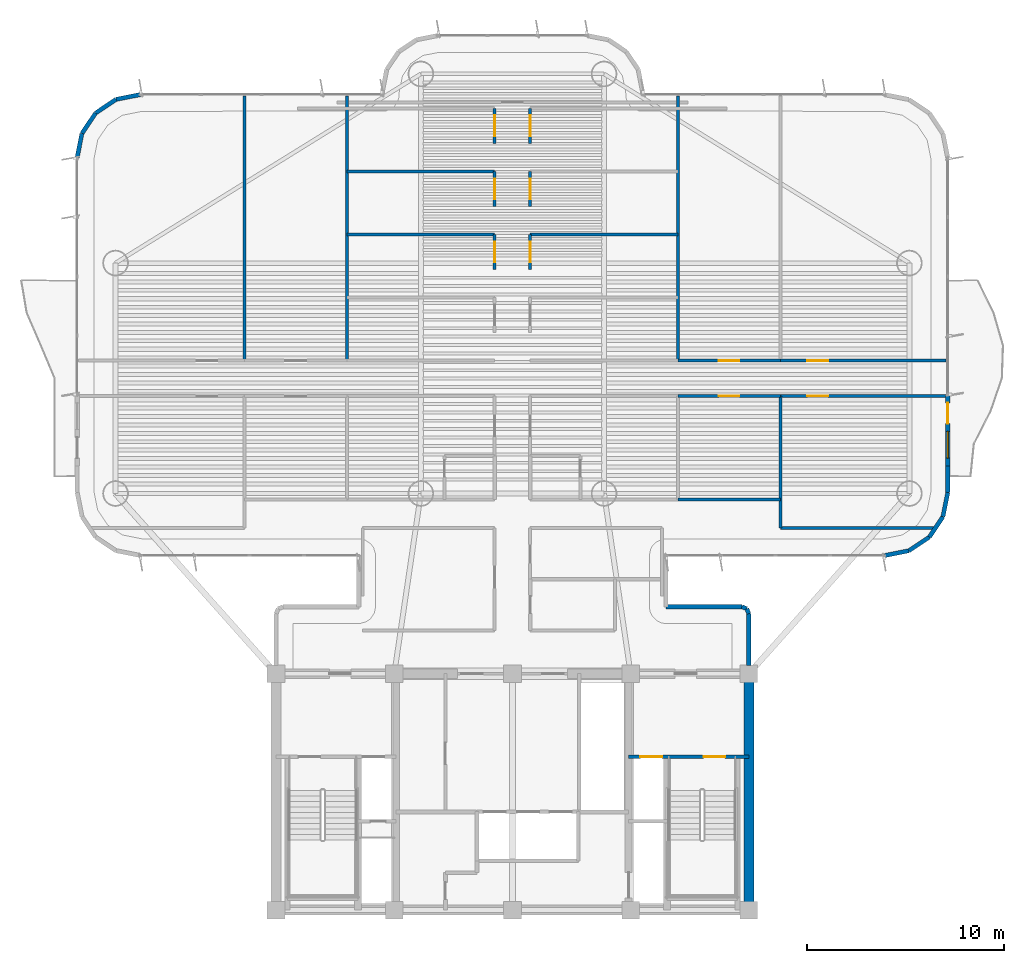
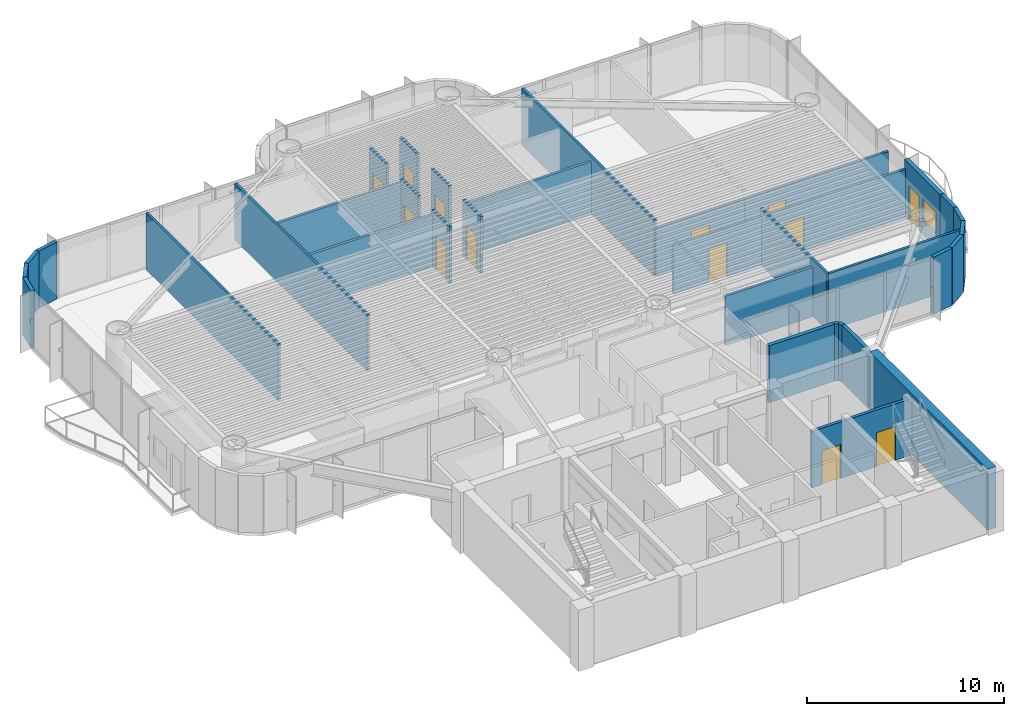
# One storey, part 11 of 16: 35 walls, 13 doors, 1 window, 14 openings.
"""IFC4 building model written with IfcOpenShell, lengths in metres."""

from ifc_helpers import new_model, si_unit, direction, frame, frame_2d, origin, origin_2d, place, context, subcontext, project, spatial, rectangle, extrude, source, transform, mapped, material, layer, layer_set, type_object, element, fill, save


model = new_model("IFC4")

# Units and contexts
model_context = context("Model", 3, precision=1e-05, world=origin(), true_north=direction((0.0, 1.0)))
body_context = subcontext(model_context, "Body", "Model", "MODEL_VIEW")
ifc_project = project(units=[si_unit("LENGTHUNIT", "METRE"), si_unit("AREAUNIT", "SQUARE_METRE"), si_unit("VOLUMEUNIT", "CUBIC_METRE"), si_unit("PLANEANGLEUNIT", "RADIAN"), si_unit("MASSUNIT", "GRAM", prefix="KILO")], contexts=[model_context])

# Site, building, storey
site_placement = place(None, origin())
site = spatial("IfcSite", under=ifc_project, at=site_placement, CompositionType="ELEMENT")
building_placement = place(site_placement, origin())
building = spatial("IfcBuilding", under=site, at=building_placement, Name="Brelvock Crest Care Tower", CompositionType="ELEMENT")
storey_placement = place(building_placement, frame((0.0, 0.0, 101.159912109375)))
storey = spatial("IfcBuildingStorey", under=building, at=storey_placement, Name="L25", CompositionType="ELEMENT", Elevation=101.159912109375)

# Wall
ifc_material_1 = material(Name="Concrete S80 (80 MPa)", Category="concrete")
ifc_layer_1 = layer(ifc_material_1, 0.5, Name="WL-CS2")
ifc_layer_set_1 = layer_set([ifc_layer_1], Name="Concrete S80 (80 MPa)")
wall_type_1 = type_object("IfcWallType", Name="WL-CS2", PredefinedType="SHEAR", material=ifc_layer_set_1)
wall_1_placement = place(storey_placement, frame((48.0, 18.0, 0.0), z_axis=(0.0, 0.0, 1.0), x_axis=(0.0, -1.0, 0.0)))
element("IfcWall", 1, at=wall_1_placement, inside=storey, type_object=wall_type_1, Name="L25 Core East Shear Wall", PredefinedType="SHEAR", context=body_context, shape_type="SweptSolid", body=[
    extrude(rectangle(XDim=12.0, YDim=0.5, at=frame_2d((6.0, 0.0))), origin(), (0.0, 0.0, 1.0), 3.780029296875),
])

# Wall, openings, door, window
ifc_material_2 = material(Name="Precast concrete N40 (40 MPa)", Category="concrete")
ifc_layer_2 = layer(ifc_material_2, 0.239990234375, Name="WL-EX1")
ifc_layer_set_2 = layer_set([ifc_layer_2], Name="Precast concrete N40 (40 MPa)")
wall_type_2 = type_object("IfcWallType", Name="WL-EX1", PredefinedType="SOLIDWALL", material=ifc_layer_set_2)
wall_2_placement = place(storey_placement, frame((58.10009765625, 32.14990234375, 0.0), z_axis=(0.0, 0.0, 1.0), x_axis=(0.0, -1.0, 0.0)))
wall_2 = element("IfcWall", 2, at=wall_2_placement, inside=storey, type_object=wall_type_2, Name="L25 Exterior Spandrel Wall WL-BAL-L25-E", PredefinedType="SOLIDWALL", context=body_context, shape_type="SweptSolid", body=[
    extrude(rectangle(XDim=3.599853515625, YDim=0.239990234375, at=frame_2d((1.7998046875, 0.0))), origin(), (0.0, 0.0, 1.0), 3.530029296875),
])
opening_1_placement = place(wall_2_placement, frame((0.39990234375, 0.0, 0.0)))
opening_1 = element("IfcOpeningElement", 3, at=opening_1_placement, cuts=wall_2, Name="Opening BD-1", PredefinedType="OPENING", context=body_context, shape_type="SweptSolid", body=[
    extrude(rectangle(XDim=1.050048828125, YDim=2.14990234375, at=origin_2d()), frame((0.52490234375, 0.1298828125, 1.074951171875), z_axis=(0.0, -1.0, 0.0), x_axis=(1.0, 0.0, 0.0)), (0.0, 0.0, 1.0), 0.260009765625),
])
opening_2_placement = place(wall_2_placement, frame((1.85009765625, 0.0, 0.85009765625)))
opening_2 = element("IfcOpeningElement", 4, at=opening_2_placement, cuts=wall_2, Name="Opening W-01", PredefinedType="OPENING", context=body_context, shape_type="SweptSolid", body=[
    extrude(rectangle(XDim=1.35009765625, YDim=1.35009765625, at=origin_2d()), frame((0.675048828125, 0.1298828125, 0.675048828125), z_axis=(0.0, -1.0, 0.0), x_axis=(1.0, 0.0, 0.0)), (0.0, 0.0, 1.0), 0.260009765625),
])
ifc_material_3 = material(Name="Dark Glass Double Glazed Low-E", Category="glass")
door_type_1 = type_object("IfcDoorType", Name="DR-BAL1", OperationType="NOTDEFINED", PredefinedType="DOOR", material=ifc_material_3)
shared_shape_1 = source(origin(), body_context, "Body", "SweptSolid", [
    extrude(rectangle(XDim=1.050048828125, YDim=2.14990234375, at=origin_2d()), frame((0.52490234375, 0.02490234375, 1.074951171875), z_axis=(0.0, -1.0, 0.0), x_axis=(1.0, 0.0, 0.0)), (0.0, 0.0, 1.0), 0.050048828125),
])
door_1_placement = place(opening_1_placement, origin())
door_1 = element("IfcDoor", 5, at=door_1_placement, inside=storey, type_object=door_type_1, Name="L25 E Wave Balcony Glazed Door", OperationType="SINGLE_SWING_RIGHT", OverallHeight=2.14990234375, OverallWidth=1.050048828125, PredefinedType="DOOR", context=body_context, shape_type="MappedRepresentation", body=[
    mapped(shared_shape_1, transform((0.0, 0.0, 0.0), x_axis=(1.0, 0.0, 0.0), y_axis=(0.0, 1.0, 0.0), z_axis=(0.0, 0.0, 1.0), scale=1.0)),
])
fill(opening_1, door_1)
window_type = type_object("IfcWindowType", Name="WN-EX1", PartitioningType="SINGLE_PANEL", PredefinedType="WINDOW", material=ifc_material_3)
shared_shape_2 = source(origin(), body_context, "Body", "SweptSolid", [
    extrude(rectangle(XDim=1.35009765625, YDim=1.35009765625, at=origin_2d()), frame((0.675048828125, 0.030029296875, 0.675048828125), z_axis=(0.0, -1.0, 0.0), x_axis=(1.0, 0.0, 0.0)), (0.0, 0.0, 1.0), 0.06005859375),
])
window_placement = place(opening_2_placement, origin())
window = element("IfcWindow", 6, at=window_placement, inside=storey, type_object=window_type, Name="L25 E Suite Casement Window", OverallHeight=1.35009765625, OverallWidth=1.35009765625, PartitioningType="SINGLE_PANEL", PredefinedType="WINDOW", context=body_context, shape_type="MappedRepresentation", body=[
    mapped(shared_shape_2, transform((0.0, 0.0, 0.0), x_axis=(1.0, 0.0, 0.0), y_axis=(0.0, 1.0, 0.0), z_axis=(0.0, 0.0, 1.0), scale=1.0)),
])
fill(opening_2, window)

# Walls
ifc_layer_3 = layer(ifc_material_2, 0.215087890625, Name="WL-EX2")
ifc_layer_set_3 = layer_set([ifc_layer_3], Name="Precast concrete N40 (40 MPa)")
wall_type_3 = type_object("IfcWallType", Name="WL-EX2", PredefinedType="SOLIDWALL", material=ifc_layer_set_3)
wall_3_placement = place(storey_placement, frame((47.8974609375, 21.297607421875, 0.0), z_axis=(0.0, 0.0, 1.0), x_axis=(0.382673670509, -0.923883575944, 0.0)))
element("IfcWall", 7, at=wall_3_placement, inside=storey, type_object=wall_type_3, Name="L25 Rounded Corner Wall 00", PredefinedType="SOLIDWALL", context=body_context, shape_type="SweptSolid", body=[
    extrude(rectangle(XDim=0.26806640625, YDim=0.215087890625, at=frame_2d((0.134033203125, 0.0))), origin(), (0.0, 0.0, 1.0), 3.530029296875),
])
wall_4_placement = place(storey_placement, frame((48.0, 21.050048828125, 0.0), z_axis=(0.0, 0.0, 1.0), x_axis=(0.0, -1.0, 0.0)))
element("IfcWall", 8, at=wall_4_placement, inside=storey, type_object=wall_type_3, Name="L25 Rounded Corner Wall 01", PredefinedType="SOLIDWALL", context=body_context, shape_type="SweptSolid", body=[
    extrude(rectangle(XDim=2.6201171875, YDim=0.215087890625, at=frame_2d((1.31005859375, 0.0))), origin(), (0.0, 0.0, 1.0), 3.530029296875),
])
for number, where, z_axis, x_axis, name in (
    (9, (13.89990234375, 44.199951171875, 0.0), (0.0, 0.0, 1.0), (0.195138390419, 0.980775717779, 0.0), "L25 Rounded Corner Wall 18"),
    (10, (14.1435546875, 45.424560546875, 0.0), (0.0, 0.0, 1.0), (0.555692485475, 0.831387912822, 0.0), "L25 Rounded Corner Wall 19"),
    (11, (14.83740234375, 46.462646484375, 0.0), (0.0, 0.0, 1.0), (0.831387912822, 0.555692485475, 0.0), "L25 Rounded Corner Wall 20"),
    (12, (15.87548828125, 47.156494140625, 0.0), (0.0, 0.0, 1.0), (0.980813122964, 0.194950295773, 0.0), "L25 Rounded Corner Wall 21"),
):
    element("IfcWall", number, at=place(storey_placement, frame(where, z_axis=z_axis, x_axis=x_axis)), inside=storey, type_object=wall_type_3, Name=name, PredefinedType="SOLIDWALL", context=body_context, shape_type="SweptSolid", body=[
        extrude(rectangle(XDim=1.24853515625, YDim=0.215087890625, at=frame_2d((0.624267578125, 0.0))), origin(), (0.0, 0.0, 1.0), 3.530029296875),
    ])
wall_5_placement = place(storey_placement, frame((58.10009765625, 28.550048828125, 0.0), z_axis=(0.0, 0.0, 1.0), x_axis=(0.0, -1.0, 0.0)))
element("IfcWall", 13, at=wall_5_placement, inside=storey, type_object=wall_type_3, Name="L25 Exterior Spandrel Pier E39B", PredefinedType="SOLIDWALL", context=body_context, shape_type="SweptSolid", body=[
    extrude(rectangle(XDim=1.35009765625, YDim=0.215087890625, at=frame_2d((0.675048828125, 0.0))), origin(), (0.0, 0.0, 1.0), 3.530029296875),
])
for number, where, z_axis, x_axis, name in (
    (14, (58.10009765625, 27.199951171875, 0.0), (0.0, 0.0, 1.0), (-0.195138390419, -0.980775717779, 0.0), "L25 Rounded Corner Wall 40"),
    (15, (57.8564453125, 25.975341796875, 0.0), (0.0, 0.0, 1.0), (-0.555692485475, -0.831387912822, 0.0), "L25 Rounded Corner Wall 41"),
    (16, (57.16259765625, 24.937255859375, 0.0), (0.0, 0.0, 1.0), (-0.831478245117, -0.555557312883, 0.0), "L25 Rounded Corner Wall 42"),
    (17, (56.12451171875, 24.24365234375, 0.0), (0.0, 0.0, 1.0), (-0.980775717779, -0.195138390419, 0.0), "L25 Rounded Corner Wall 43"),
):
    element("IfcWall", number, at=place(storey_placement, frame(where, z_axis=z_axis, x_axis=x_axis)), inside=storey, type_object=wall_type_3, Name=name, PredefinedType="SOLIDWALL", context=body_context, shape_type="SweptSolid", body=[
        extrude(rectangle(XDim=1.24853515625, YDim=0.215087890625, at=frame_2d((0.624267578125, 0.0))), origin(), (0.0, 0.0, 1.0), 3.530029296875),
    ])
wall_6_placement = place(storey_placement, frame((43.800048828125, 21.39990234375, 0.0), z_axis=(0.0, 0.0, 1.0), x_axis=(1.0, 0.0, 0.0)))
element("IfcWall", 18, at=wall_6_placement, inside=storey, type_object=wall_type_3, Name="L25 Rounded Corner Wall 46", PredefinedType="SOLIDWALL", context=body_context, shape_type="SweptSolid", body=[
    extrude(rectangle(XDim=3.849853515625, YDim=0.215087890625, at=frame_2d((1.9248046875, 0.0))), origin(), (0.0, 0.0, 1.0), 3.530029296875),
])
wall_7_placement = place(storey_placement, frame((47.64990234375, 21.39990234375, 0.0), z_axis=(0.0, 0.0, 1.0), x_axis=(0.924205486139, -0.381895560841, 0.0)))
element("IfcWall", 19, at=wall_7_placement, inside=storey, type_object=wall_type_3, Name="L25 Rounded Corner Wall 47", PredefinedType="SOLIDWALL", context=body_context, shape_type="SweptSolid", body=[
    extrude(rectangle(XDim=0.267822265625, YDim=0.215087890625, at=frame_2d((0.1337890625, 0.0))), origin(), (0.0, 0.0, 1.0), 3.530029296875),
])
ifc_material_4 = material(Name="Masonry Blockwork Acoustic Partition", Category="masonry")
ifc_layer_4 = layer(ifc_material_4, 0.14990234375, Name="WL-INT1")
ifc_layer_set_4 = layer_set([ifc_layer_4], Name="Masonry Blockwork Acoustic Partition")
wall_type_4 = type_object("IfcWallType", Name="WL-INT1", PredefinedType="PARTITIONING", material=ifc_layer_set_4)
wall_8_placement = place(storey_placement, frame((49.60009765625, 25.39990234375, 0.0), z_axis=(0.0, 0.0, 1.0), x_axis=(1.0, 0.0, 0.0)))
element("IfcWall", 20, at=wall_8_placement, inside=storey, type_object=wall_type_4, Name="L25 Interior Wall WL-BX-L25-SEB-S", PredefinedType="PARTITIONING", context=body_context, shape_type="SweptSolid", body=[
    extrude(rectangle(XDim=7.775634765625, YDim=0.14990234375, at=frame_2d((3.8876953125, 0.0))), origin(), (0.0, 0.0, 1.0), 3.5),
])
wall_9_placement = place(storey_placement, frame((44.39990234375, 26.85009765625, 0.0), z_axis=(0.0, 0.0, 1.0), x_axis=(1.0, 0.0, 0.0)))
element("IfcWall", 21, at=wall_9_placement, inside=storey, type_object=wall_type_4, Name="L25 Interior Wall WL-BX-L25-ISED-S", PredefinedType="PARTITIONING", context=body_context, shape_type="SweptSolid", body=[
    extrude(rectangle(XDim=5.2001953125, YDim=0.14990234375, at=frame_2d((2.60009765625, 0.0))), origin(), (0.0, 0.0, 1.0), 3.05517578125),
])

# Wall, opening, door
wall_10_placement = place(storey_placement, frame((44.39990234375, 32.10009765625, 0.0), z_axis=(0.0, 0.0, 1.0), x_axis=(1.0, 0.0, 0.0)))
wall_10 = element("IfcWall", 22, at=wall_10_placement, inside=storey, type_object=wall_type_4, Name="L25 Interior Wall WL-RM-L25-ISED", PredefinedType="PARTITIONING", context=body_context, shape_type="SweptSolid", body=[
    extrude(rectangle(XDim=5.2001953125, YDim=0.14990234375, at=frame_2d((2.60009765625, 0.0))), origin(), (0.0, 0.0, 1.0), 2.982177734375),
])
opening_3_placement = place(wall_10_placement, frame((2.074951171875, 0.0, 0.0)))
opening_3 = element("IfcOpeningElement", 23, at=opening_3_placement, cuts=wall_10, Name="Opening CLD-1", PredefinedType="OPENING", context=body_context, shape_type="SweptSolid", body=[
    extrude(rectangle(XDim=1.050048828125, YDim=2.10009765625, at=origin_2d()), frame((0.52490234375, 0.0849609375, 1.050048828125), z_axis=(0.0, -1.0, 0.0), x_axis=(1.0, 0.0, 0.0)), (0.0, 0.0, 1.0), 0.169921875),
])
ifc_material_5 = material(Name="Engineered Hardwood Timber", Category="wood")
door_type_2 = type_object("IfcDoorType", Name="DR-CLN1", OperationType="NOTDEFINED", PredefinedType="DOOR", material=ifc_material_5)
shared_shape_3 = source(origin(), body_context, "Body", "SweptSolid", [
    extrude(rectangle(XDim=1.050048828125, YDim=2.10009765625, at=origin_2d()), frame((0.52490234375, 0.02490234375, 1.050048828125), z_axis=(0.0, -1.0, 0.0), x_axis=(1.0, 0.0, 0.0)), (0.0, 0.0, 1.0), 0.050048828125),
])
door_2_placement = place(opening_3_placement, origin())
door_2 = element("IfcDoor", 24, at=door_2_placement, inside=storey, type_object=door_type_2, Name="L25 Geriatric Nurse Station Door ISED", OperationType="SINGLE_SWING_LEFT", OverallHeight=2.10009765625, OverallWidth=1.050048828125, PredefinedType="DOOR", context=body_context, shape_type="MappedRepresentation", body=[
    mapped(shared_shape_3, transform((0.0, 0.0, 0.0), x_axis=(1.0, 0.0, 0.0), y_axis=(0.0, 1.0, 0.0), z_axis=(0.0, 0.0, 1.0), scale=1.0)),
])
fill(opening_3, door_2)

wall_11_placement = place(storey_placement, frame((49.60009765625, 32.10009765625, 0.0), z_axis=(0.0, 0.0, 1.0), x_axis=(1.0, 0.0, 0.0)))
wall_11 = element("IfcWall", 25, at=wall_11_placement, inside=storey, type_object=wall_type_4, Name="L25 Interior Wall WL-RM-L25-SEB", PredefinedType="PARTITIONING", context=body_context, shape_type="SweptSolid", body=[
    extrude(rectangle(XDim=8.419921875, YDim=0.14990234375, at=frame_2d((4.2099609375, 0.0))), origin(), (0.0, 0.0, 1.0), 2.982177734375),
])
opening_4_placement = place(wall_11_placement, frame((1.375, 0.0, 0.0)))
opening_4 = element("IfcOpeningElement", 26, at=opening_4_placement, cuts=wall_11, Name="Opening CD-1", PredefinedType="OPENING", context=body_context, shape_type="SweptSolid", body=[
    extrude(rectangle(XDim=1.050048828125, YDim=2.10009765625, at=origin_2d()), frame((0.52490234375, 0.0849609375, 1.050048828125), z_axis=(0.0, -1.0, 0.0), x_axis=(1.0, 0.0, 0.0)), (0.0, 0.0, 1.0), 0.169921875),
])
door_type_3 = type_object("IfcDoorType", Name="DR-CARE1", OperationType="NOTDEFINED", PredefinedType="DOOR", material=ifc_material_5)
shared_shape_4 = source(origin(), body_context, "Body", "SweptSolid", [
    extrude(rectangle(XDim=1.050048828125, YDim=2.10009765625, at=origin_2d()), frame((0.52490234375, 0.02490234375, 1.050048828125), z_axis=(0.0, -1.0, 0.0), x_axis=(1.0, 0.0, 0.0)), (0.0, 0.0, 1.0), 0.050048828125),
])
door_3_placement = place(opening_4_placement, origin())
door_3 = element("IfcDoor", 27, at=door_3_placement, inside=storey, type_object=door_type_3, Name="L25 Assisted Care Therapy Hall Door SEB", OperationType="SINGLE_SWING_LEFT", OverallHeight=2.10009765625, OverallWidth=1.050048828125, PredefinedType="DOOR", context=body_context, shape_type="MappedRepresentation", body=[
    mapped(shared_shape_4, transform((0.0, 0.0, 0.0), x_axis=(1.0, 0.0, 0.0), y_axis=(0.0, 1.0, 0.0), z_axis=(0.0, 0.0, 1.0), scale=1.0)),
])
fill(opening_4, door_3)

wall_12_placement = place(storey_placement, frame((44.39990234375, 33.89990234375, 0.0), z_axis=(0.0, 0.0, 1.0), x_axis=(1.0, 0.0, 0.0)))
wall_12 = element("IfcWall", 28, at=wall_12_placement, inside=storey, type_object=wall_type_4, Name="L25 Interior Wall WL-RM-L25-INED", PredefinedType="PARTITIONING", context=body_context, shape_type="SweptSolid", body=[
    extrude(rectangle(XDim=5.2001953125, YDim=0.14990234375, at=frame_2d((2.60009765625, 0.0))), origin(), (0.0, 0.0, 1.0), 2.982177734375),
])
opening_5_placement = place(wall_12_placement, frame((2.074951171875, 0.0, 0.0)))
opening_5 = element("IfcOpeningElement", 29, at=opening_5_placement, cuts=wall_12, Name="Opening CLD-1", PredefinedType="OPENING", context=body_context, shape_type="SweptSolid", body=[
    extrude(rectangle(XDim=1.050048828125, YDim=2.10009765625, at=origin_2d()), frame((0.52490234375, 0.0849609375, 1.050048828125), z_axis=(0.0, -1.0, 0.0), x_axis=(1.0, 0.0, 0.0)), (0.0, 0.0, 1.0), 0.169921875),
])
door_4_placement = place(opening_5_placement, origin())
door_4 = element("IfcDoor", 30, at=door_4_placement, inside=storey, type_object=door_type_2, Name="L25 Geriatric Nurse Station Door INED", OperationType="SINGLE_SWING_LEFT", OverallHeight=2.10009765625, OverallWidth=1.050048828125, PredefinedType="DOOR", context=body_context, shape_type="MappedRepresentation", body=[
    mapped(shared_shape_3, transform((0.0, 0.0, 0.0), x_axis=(1.0, 0.0, 0.0), y_axis=(0.0, 1.0, 0.0), z_axis=(0.0, 0.0, 1.0), scale=1.0)),
])
fill(opening_5, door_4)

wall_13_placement = place(storey_placement, frame((49.60009765625, 33.89990234375, 0.0), z_axis=(0.0, 0.0, 1.0), x_axis=(1.0, 0.0, 0.0)))
wall_13 = element("IfcWall", 31, at=wall_13_placement, inside=storey, type_object=wall_type_4, Name="L25 Interior Wall WL-RM-L25-NEB", PredefinedType="PARTITIONING", context=body_context, shape_type="SweptSolid", body=[
    extrude(rectangle(XDim=8.419921875, YDim=0.14990234375, at=frame_2d((4.2099609375, 0.0))), origin(), (0.0, 0.0, 1.0), 2.982177734375),
])
opening_6_placement = place(wall_13_placement, frame((1.375, 0.0, 0.0)))
opening_6 = element("IfcOpeningElement", 32, at=opening_6_placement, cuts=wall_13, Name="Opening CD-1", PredefinedType="OPENING", context=body_context, shape_type="SweptSolid", body=[
    extrude(rectangle(XDim=1.050048828125, YDim=2.10009765625, at=origin_2d()), frame((0.52490234375, 0.0849609375, 1.050048828125), z_axis=(0.0, -1.0, 0.0), x_axis=(1.0, 0.0, 0.0)), (0.0, 0.0, 1.0), 0.169921875),
])
door_5_placement = place(opening_6_placement, origin())
door_5 = element("IfcDoor", 33, at=door_5_placement, inside=storey, type_object=door_type_3, Name="L25 Assisted Care Therapy Hall Door NEB", OperationType="SINGLE_SWING_LEFT", OverallHeight=2.10009765625, OverallWidth=1.050048828125, PredefinedType="DOOR", context=body_context, shape_type="MappedRepresentation", body=[
    mapped(shared_shape_4, transform((0.0, 0.0, 0.0), x_axis=(1.0, 0.0, 0.0), y_axis=(0.0, 1.0, 0.0), z_axis=(0.0, 0.0, 1.0), scale=1.0)),
])
fill(opening_6, door_5)

# Walls
for number, where, z_axis, x_axis, name in (
    (34, (27.60009765625, 40.300048828125, 0.0), (0.0, 0.0, 1.0), (1.0, 0.0, 0.0), "L25 Interior Wall WL-BX-L25-CS-INWCAB-N"),
    (35, (36.89990234375, 40.300048828125, 0.0), (0.0, 0.0, 1.0), (1.0, 0.0, 0.0), "L25 Interior Wall WL-BX-L25-CS-INECAB-N"),
):
    element("IfcWall", number, at=place(storey_placement, frame(where, z_axis=z_axis, x_axis=x_axis)), inside=storey, type_object=wall_type_4, Name=name, PredefinedType="PARTITIONING", context=body_context, shape_type="SweptSolid", body=[
        extrude(rectangle(XDim=7.5, YDim=0.14990234375, at=frame_2d((3.75, 0.0))), origin(), (0.0, 0.0, 1.0), 3.259033203125),
    ])
wall_14_placement = place(storey_placement, frame((27.60009765625, 43.5, 0.0), z_axis=(0.0, 0.0, 1.0), x_axis=(1.0, 0.0, 0.0)))
element("IfcWall", 36, at=wall_14_placement, inside=storey, type_object=wall_type_4, Name="L25 Interior Wall WL-BX-L25-CS-INWCBA-N", PredefinedType="PARTITIONING", context=body_context, shape_type="SweptSolid", body=[
    extrude(rectangle(XDim=7.5, YDim=0.14990234375, at=frame_2d((3.75, 0.0))), origin(), (0.0, 0.0, 1.0), 3.30810546875),
])
wall_15_placement = place(storey_placement, frame((22.39990234375, 33.89990234375, 0.0), z_axis=(0.0, 0.0, 1.0), x_axis=(0.0, 1.0, 0.0)))
element("IfcWall", 37, at=wall_15_placement, inside=storey, type_object=wall_type_4, Name="L25 Interior Wall WL-BX-L25-INWD-W", PredefinedType="PARTITIONING", context=body_context, shape_type="SweptSolid", body=[
    extrude(rectangle(XDim=13.4208984375, YDim=0.14990234375, at=frame_2d((6.71044921875, 0.0))), origin(), (0.0, 0.0, 1.0), 3.5),
])
wall_16_placement = place(storey_placement, frame((27.60009765625, 33.89990234375, 0.0), z_axis=(0.0, 0.0, 1.0), x_axis=(0.0, 1.0, 0.0)))
element("IfcWall", 38, at=wall_16_placement, inside=storey, type_object=wall_type_4, Name="L25 Interior Wall WL-BX-L25-INWD-E", PredefinedType="PARTITIONING", context=body_context, shape_type="SweptSolid", body=[
    extrude(rectangle(XDim=13.42138671875, YDim=0.14990234375, at=frame_2d((6.710693359375, 0.0))), origin(), (0.0, 0.0, 1.0), 3.5),
])

# Wall, opening, door
wall_17_placement = place(storey_placement, frame((35.10009765625, 38.52001953125, 0.0), z_axis=(0.0, 0.0, 1.0), x_axis=(0.0, 1.0, 0.0)))
wall_17 = element("IfcWall", 39, at=wall_17_placement, inside=storey, type_object=wall_type_4, Name="L25 Interior Wall WL-CENT-L25-INWCAB", PredefinedType="PARTITIONING", context=body_context, shape_type="SweptSolid", body=[
    extrude(rectangle(XDim=1.780029296875, YDim=0.14990234375, at=frame_2d((0.89013671875, 0.0))), origin(), (0.0, 0.0, 1.0), 3.5),
])
opening_7_placement = place(wall_17_placement, frame((0.3701171875, 0.0, 0.0)))
opening_7 = element("IfcOpeningElement", 40, at=opening_7_placement, cuts=wall_17, Name="Opening CD-1", PredefinedType="OPENING", context=body_context, shape_type="SweptSolid", body=[
    extrude(rectangle(XDim=1.050048828125, YDim=2.10009765625, at=origin_2d()), frame((0.52490234375, 0.0849609375, 1.050048828125), z_axis=(0.0, -1.0, 0.0), x_axis=(1.0, 0.0, 0.0)), (0.0, 0.0, 1.0), 0.169921875),
])
door_6_placement = place(opening_7_placement, origin())
door_6 = element("IfcDoor", 41, at=door_6_placement, inside=storey, type_object=door_type_3, Name="L25 Care Suite Door INWCAB", OperationType="SINGLE_SWING_LEFT", OverallHeight=2.10009765625, OverallWidth=1.050048828125, PredefinedType="DOOR", context=body_context, shape_type="MappedRepresentation", body=[
    mapped(shared_shape_4, transform((0.0, 0.0, 0.0), x_axis=(1.0, 0.0, 0.0), y_axis=(0.0, 1.0, 0.0), z_axis=(0.0, 0.0, 1.0), scale=1.0)),
])
fill(opening_7, door_6)

wall_18_placement = place(storey_placement, frame((35.10009765625, 41.719970703125, 0.0), z_axis=(0.0, 0.0, 1.0), x_axis=(0.0, 1.0, 0.0)))
wall_18 = element("IfcWall", 42, at=wall_18_placement, inside=storey, type_object=wall_type_4, Name="L25 Interior Wall WL-CENT-L25-INWCBA", PredefinedType="PARTITIONING", context=body_context, shape_type="SweptSolid", body=[
    extrude(rectangle(XDim=1.780029296875, YDim=0.14990234375, at=frame_2d((0.89013671875, 0.0))), origin(), (0.0, 0.0, 1.0), 3.5),
])
opening_8_placement = place(wall_18_placement, frame((0.3701171875, 0.0, 0.0)))
opening_8 = element("IfcOpeningElement", 43, at=opening_8_placement, cuts=wall_18, Name="Opening CD-1", PredefinedType="OPENING", context=body_context, shape_type="SweptSolid", body=[
    extrude(rectangle(XDim=1.050048828125, YDim=2.10009765625, at=origin_2d()), frame((0.52490234375, 0.0849609375, 1.050048828125), z_axis=(0.0, -1.0, 0.0), x_axis=(1.0, 0.0, 0.0)), (0.0, 0.0, 1.0), 0.169921875),
])
door_7_placement = place(opening_8_placement, origin())
door_7 = element("IfcDoor", 44, at=door_7_placement, inside=storey, type_object=door_type_3, Name="L25 Care Suite Door INWCBA", OperationType="SINGLE_SWING_LEFT", OverallHeight=2.10009765625, OverallWidth=1.050048828125, PredefinedType="DOOR", context=body_context, shape_type="MappedRepresentation", body=[
    mapped(shared_shape_4, transform((0.0, 0.0, 0.0), x_axis=(1.0, 0.0, 0.0), y_axis=(0.0, 1.0, 0.0), z_axis=(0.0, 0.0, 1.0), scale=1.0)),
])
fill(opening_8, door_7)

wall_19_placement = place(storey_placement, frame((35.10009765625, 44.919921875, 0.0), z_axis=(0.0, 0.0, 1.0), x_axis=(0.0, 1.0, 0.0)))
wall_19 = element("IfcWall", 45, at=wall_19_placement, inside=storey, type_object=wall_type_4, Name="L25 Interior Wall WL-CENT-L25-INWCBB", PredefinedType="PARTITIONING", context=body_context, shape_type="SweptSolid", body=[
    extrude(rectangle(XDim=1.780029296875, YDim=0.14990234375, at=frame_2d((0.89013671875, 0.0))), origin(), (0.0, 0.0, 1.0), 3.5),
])
opening_9_placement = place(wall_19_placement, frame((0.3701171875, 0.0, 0.0)))
opening_9 = element("IfcOpeningElement", 46, at=opening_9_placement, cuts=wall_19, Name="Opening CD-1", PredefinedType="OPENING", context=body_context, shape_type="SweptSolid", body=[
    extrude(rectangle(XDim=1.050048828125, YDim=2.10009765625, at=origin_2d()), frame((0.52490234375, 0.0849609375, 1.050048828125), z_axis=(0.0, -1.0, 0.0), x_axis=(1.0, 0.0, 0.0)), (0.0, 0.0, 1.0), 0.169921875),
])
door_8_placement = place(opening_9_placement, origin())
door_8 = element("IfcDoor", 47, at=door_8_placement, inside=storey, type_object=door_type_3, Name="L25 Care Suite Door INWCBB", OperationType="SINGLE_SWING_LEFT", OverallHeight=2.10009765625, OverallWidth=1.050048828125, PredefinedType="DOOR", context=body_context, shape_type="MappedRepresentation", body=[
    mapped(shared_shape_4, transform((0.0, 0.0, 0.0), x_axis=(1.0, 0.0, 0.0), y_axis=(0.0, 1.0, 0.0), z_axis=(0.0, 0.0, 1.0), scale=1.0)),
])
fill(opening_9, door_8)

wall_20_placement = place(storey_placement, frame((36.89990234375, 38.52001953125, 0.0), z_axis=(0.0, 0.0, 1.0), x_axis=(0.0, 1.0, 0.0)))
wall_20 = element("IfcWall", 48, at=wall_20_placement, inside=storey, type_object=wall_type_4, Name="L25 Interior Wall WL-CENT-L25-INECAB", PredefinedType="PARTITIONING", context=body_context, shape_type="SweptSolid", body=[
    extrude(rectangle(XDim=1.780029296875, YDim=0.14990234375, at=frame_2d((0.89013671875, 0.0))), origin(), (0.0, 0.0, 1.0), 3.5),
])
opening_10_placement = place(wall_20_placement, frame((0.3701171875, 0.0, 0.0)))
opening_10 = element("IfcOpeningElement", 49, at=opening_10_placement, cuts=wall_20, Name="Opening CD-1", PredefinedType="OPENING", context=body_context, shape_type="SweptSolid", body=[
    extrude(rectangle(XDim=1.050048828125, YDim=2.10009765625, at=origin_2d()), frame((0.52490234375, 0.0849609375, 1.050048828125), z_axis=(0.0, -1.0, 0.0), x_axis=(1.0, 0.0, 0.0)), (0.0, 0.0, 1.0), 0.169921875),
])
door_9_placement = place(opening_10_placement, origin())
door_9 = element("IfcDoor", 50, at=door_9_placement, inside=storey, type_object=door_type_3, Name="L25 Care Suite Door INECAB", OperationType="SINGLE_SWING_LEFT", OverallHeight=2.10009765625, OverallWidth=1.050048828125, PredefinedType="DOOR", context=body_context, shape_type="MappedRepresentation", body=[
    mapped(shared_shape_4, transform((0.0, 0.0, 0.0), x_axis=(1.0, 0.0, 0.0), y_axis=(0.0, 1.0, 0.0), z_axis=(0.0, 0.0, 1.0), scale=1.0)),
])
fill(opening_10, door_9)

wall_21_placement = place(storey_placement, frame((36.89990234375, 41.719970703125, 0.0), z_axis=(0.0, 0.0, 1.0), x_axis=(0.0, 1.0, 0.0)))
wall_21 = element("IfcWall", 51, at=wall_21_placement, inside=storey, type_object=wall_type_4, Name="L25 Interior Wall WL-CENT-L25-INECBA", PredefinedType="PARTITIONING", context=body_context, shape_type="SweptSolid", body=[
    extrude(rectangle(XDim=1.780029296875, YDim=0.14990234375, at=frame_2d((0.89013671875, 0.0))), origin(), (0.0, 0.0, 1.0), 3.5),
])
opening_11_placement = place(wall_21_placement, frame((0.3701171875, 0.0, 0.0)))
opening_11 = element("IfcOpeningElement", 52, at=opening_11_placement, cuts=wall_21, Name="Opening CD-1", PredefinedType="OPENING", context=body_context, shape_type="SweptSolid", body=[
    extrude(rectangle(XDim=1.050048828125, YDim=2.10009765625, at=origin_2d()), frame((0.52490234375, 0.0849609375, 1.050048828125), z_axis=(0.0, -1.0, 0.0), x_axis=(1.0, 0.0, 0.0)), (0.0, 0.0, 1.0), 0.169921875),
])
door_10_placement = place(opening_11_placement, origin())
door_10 = element("IfcDoor", 53, at=door_10_placement, inside=storey, type_object=door_type_3, Name="L25 Care Suite Door INECBA", OperationType="SINGLE_SWING_LEFT", OverallHeight=2.10009765625, OverallWidth=1.050048828125, PredefinedType="DOOR", context=body_context, shape_type="MappedRepresentation", body=[
    mapped(shared_shape_4, transform((0.0, 0.0, 0.0), x_axis=(1.0, 0.0, 0.0), y_axis=(0.0, 1.0, 0.0), z_axis=(0.0, 0.0, 1.0), scale=1.0)),
])
fill(opening_11, door_10)

wall_22_placement = place(storey_placement, frame((36.89990234375, 44.919921875, 0.0), z_axis=(0.0, 0.0, 1.0), x_axis=(0.0, 1.0, 0.0)))
wall_22 = element("IfcWall", 54, at=wall_22_placement, inside=storey, type_object=wall_type_4, Name="L25 Interior Wall WL-CENT-L25-INECBB", PredefinedType="PARTITIONING", context=body_context, shape_type="SweptSolid", body=[
    extrude(rectangle(XDim=1.780029296875, YDim=0.14990234375, at=frame_2d((0.89013671875, 0.0))), origin(), (0.0, 0.0, 1.0), 3.5),
])
opening_12_placement = place(wall_22_placement, frame((0.3701171875, 0.0, 0.0)))
opening_12 = element("IfcOpeningElement", 55, at=opening_12_placement, cuts=wall_22, Name="Opening CD-1", PredefinedType="OPENING", context=body_context, shape_type="SweptSolid", body=[
    extrude(rectangle(XDim=1.050048828125, YDim=2.10009765625, at=origin_2d()), frame((0.52490234375, 0.0849609375, 1.050048828125), z_axis=(0.0, -1.0, 0.0), x_axis=(1.0, 0.0, 0.0)), (0.0, 0.0, 1.0), 0.169921875),
])
door_11_placement = place(opening_12_placement, origin())
door_11 = element("IfcDoor", 56, at=door_11_placement, inside=storey, type_object=door_type_3, Name="L25 Care Suite Door INECBB", OperationType="SINGLE_SWING_LEFT", OverallHeight=2.10009765625, OverallWidth=1.050048828125, PredefinedType="DOOR", context=body_context, shape_type="MappedRepresentation", body=[
    mapped(shared_shape_4, transform((0.0, 0.0, 0.0), x_axis=(1.0, 0.0, 0.0), y_axis=(0.0, 1.0, 0.0), z_axis=(0.0, 0.0, 1.0), scale=1.0)),
])
fill(opening_12, door_11)

# Walls
wall_23_placement = place(storey_placement, frame((44.39990234375, 33.89990234375, 0.0), z_axis=(0.0, 0.0, 1.0), x_axis=(0.0, 1.0, 0.0)))
element("IfcWall", 57, at=wall_23_placement, inside=storey, type_object=wall_type_4, Name="L25 Interior Wall WL-BX-L25-INED-W", PredefinedType="PARTITIONING", context=body_context, shape_type="SweptSolid", body=[
    extrude(rectangle(XDim=13.42138671875, YDim=0.14990234375, at=frame_2d((6.710693359375, 0.0))), origin(), (0.0, 0.0, 1.0), 3.5),
])
wall_24_placement = place(storey_placement, frame((49.60009765625, 25.39990234375, 0.0), z_axis=(0.0, 0.0, 1.0), x_axis=(0.0, 1.0, 0.0)))
element("IfcWall", 58, at=wall_24_placement, inside=storey, type_object=wall_type_4, Name="L25 Interior Wall WL-BX-L25-SEB-W", PredefinedType="PARTITIONING", context=body_context, shape_type="SweptSolid", body=[
    extrude(rectangle(XDim=6.7001953125, YDim=0.14990234375, at=frame_2d((3.35009765625, 0.0))), origin(), (0.0, 0.0, 1.0), 3.5),
])

# Wall, openings, doors
ifc_layer_5 = layer(ifc_material_4, 0.179931640625, Name="WL-SHF1")
ifc_layer_set_5 = layer_set([ifc_layer_5], Name="Masonry Blockwork Acoustic Partition")
wall_type_5 = type_object("IfcWallType", Name="WL-SHF1", PredefinedType="PARTITIONING", material=ifc_layer_set_5)
wall_25_placement = place(storey_placement, frame((41.89990234375, 13.780029296875, 0.0), z_axis=(0.0, 0.0, 1.0), x_axis=(1.0, 0.0, 0.0)))
wall_25 = element("IfcWall", 59, at=wall_25_placement, inside=storey, type_object=wall_type_5, Name="L25 Interior Wall WL-ST2-N-L25", PredefinedType="PARTITIONING", context=body_context, shape_type="SweptSolid", body=[
    extrude(rectangle(XDim=6.10009765625, YDim=0.179931640625, at=frame_2d((3.050048828125, 0.0))), origin(), (0.0, 0.0, 1.0), 3.5),
])
opening_13_placement = place(wall_25_placement, frame((0.60009765625, 0.0, 0.0)))
opening_13 = element("IfcOpeningElement", 60, at=opening_13_placement, cuts=wall_25, Name="Opening LD", PredefinedType="OPENING", context=body_context, shape_type="SweptSolid", body=[
    extrude(rectangle(XDim=1.10009765625, YDim=2.10009765625, at=origin_2d()), frame((0.550048828125, 0.10009765625, 1.050048828125), z_axis=(0.0, -1.0, 0.0), x_axis=(1.0, 0.0, 0.0)), (0.0, 0.0, 1.0), 0.199951171875),
])
opening_14_placement = place(wall_25_placement, frame((3.800048828125, 0.0, 0.0)))
opening_14 = element("IfcOpeningElement", 61, at=opening_14_placement, cuts=wall_25, Name="Opening SD-1", PredefinedType="OPENING", context=body_context, shape_type="SweptSolid", body=[
    extrude(rectangle(XDim=1.10009765625, YDim=2.10009765625, at=origin_2d()), frame((0.550048828125, 0.10009765625, 1.050048828125), z_axis=(0.0, -1.0, 0.0), x_axis=(1.0, 0.0, 0.0)), (0.0, 0.0, 1.0), 0.199951171875),
])
ifc_material_6 = material(Name="Steel Grade 350", Category="steel")
door_type_4 = type_object("IfcDoorType", Name="DR-ST1", OperationType="NOTDEFINED", PredefinedType="DOOR", material=ifc_material_6)
shared_shape_5 = source(origin(), body_context, "Body", "SweptSolid", [
    extrude(rectangle(XDim=1.10009765625, YDim=2.10009765625, at=origin_2d()), frame((0.550048828125, 0.02490234375, 1.050048828125), z_axis=(0.0, -1.0, 0.0), x_axis=(1.0, 0.0, 0.0)), (0.0, 0.0, 1.0), 0.050048828125),
])
door_12_placement = place(opening_14_placement, origin())
door_12 = element("IfcDoor", 62, at=door_12_placement, inside=storey, type_object=door_type_4, Name="L25 Fire Stair ST-2 Door", OperationType="SINGLE_SWING_RIGHT", OverallHeight=2.10009765625, OverallWidth=1.10009765625, PredefinedType="DOOR", context=body_context, shape_type="MappedRepresentation", body=[
    mapped(shared_shape_5, transform((0.0, 0.0, 0.0), x_axis=(1.0, 0.0, 0.0), y_axis=(0.0, 1.0, 0.0), z_axis=(0.0, 0.0, 1.0), scale=1.0)),
])
fill(opening_14, door_12)
door_type_5 = type_object("IfcDoorType", Name="DR-LD1", OperationType="NOTDEFINED", PredefinedType="DOOR", material=ifc_material_6)
shared_shape_6 = source(origin(), body_context, "Body", "SweptSolid", [
    extrude(rectangle(XDim=1.10009765625, YDim=2.10009765625, at=origin_2d()), frame((0.550048828125, 0.02490234375, 1.050048828125), z_axis=(0.0, -1.0, 0.0), x_axis=(1.0, 0.0, 0.0)), (0.0, 0.0, 1.0), 0.050048828125),
])
door_13_placement = place(opening_13_placement, origin())
door_13 = element("IfcDoor", 63, at=door_13_placement, inside=storey, type_object=door_type_5, Name="L25 Firefighting Lift FFL-2 Landing Door", OperationType="SLIDING_TO_RIGHT", OverallHeight=2.10009765625, OverallWidth=1.10009765625, PredefinedType="DOOR", context=body_context, shape_type="MappedRepresentation", body=[
    mapped(shared_shape_6, transform((0.0, 0.0, 0.0), x_axis=(1.0, 0.0, 0.0), y_axis=(0.0, 1.0, 0.0), z_axis=(0.0, 0.0, 1.0), scale=1.0)),
])
fill(opening_13, door_13)

save(model, "model.ifc")
